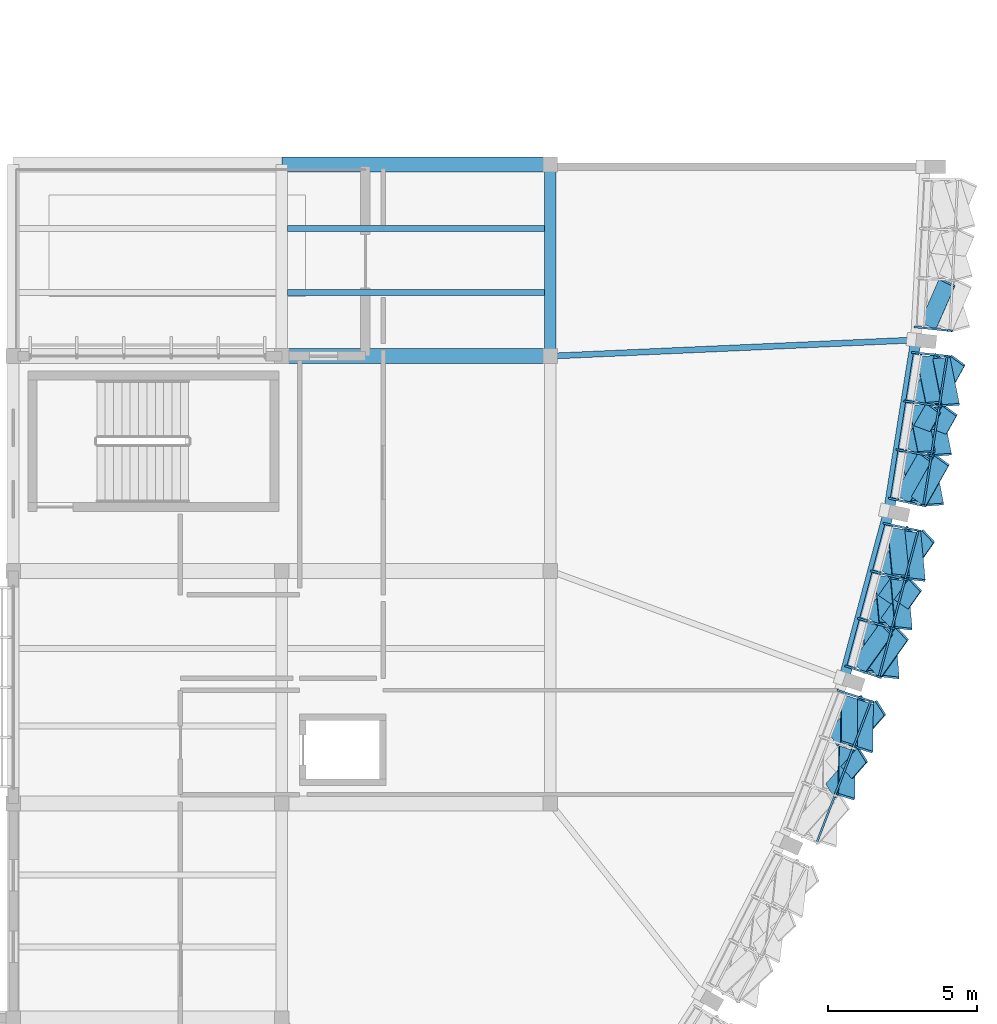
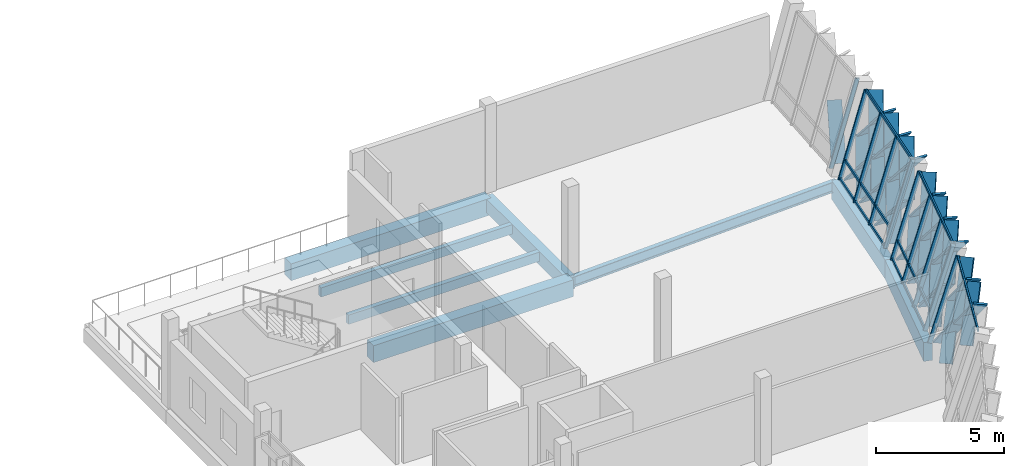
# One storey, part 13 of 24: 48 members, 8 beams, 4 elements without a shape of their own.
"""IFC4 building model written with IfcOpenShell, lengths in metres."""

from ifc_helpers import new_model, si_unit, direction, frame, origin, origin_2d, place, context, subcontext, project, spatial, rectangle, hollow_rectangle, i_section, extrude, material, material_profile, profile_set, type_object, element, aggregate, save


model = new_model("IFC4")

# Units and contexts
model_context = context("Model", 3, precision=1e-05, world=origin(), true_north=direction((0.0, 1.0)))
body_context = subcontext(model_context, "Body", "Model", "MODEL_VIEW")
ifc_project = project(units=[si_unit("LENGTHUNIT", "METRE"), si_unit("AREAUNIT", "SQUARE_METRE"), si_unit("VOLUMEUNIT", "CUBIC_METRE"), si_unit("PLANEANGLEUNIT", "RADIAN"), si_unit("MASSUNIT", "GRAM", prefix="KILO")], contexts=[model_context])

# Site, building, storey
site_placement = place(None, origin())
site = spatial("IfcSite", under=ifc_project, at=site_placement, CompositionType="ELEMENT")
building_placement = place(site_placement, origin())
building = spatial("IfcBuilding", under=site, at=building_placement, Name="Chiffa Square Polytechnic", CompositionType="ELEMENT")
storey_placement = place(building_placement, frame((0.0, 0.0, 22.199951171875)))
storey = spatial("IfcBuildingStorey", under=building, at=storey_placement, Name="L05", CompositionType="ELEMENT", Elevation=22.199951171875)

# Beams
ifc_material_1 = material(Name="Concrete C35/45", Category="concrete")
ifc_material_profile_1 = material_profile(ifc_material_1, rectangle(XDim=0.39990234375, YDim=0.64990234375, at=origin_2d()), Name="RC 400x650")
ifc_profile_set_1 = profile_set([ifc_material_profile_1], Name="Concrete C35/45")
beam_type_1 = type_object("IfcBeamType", Name="BM-RC-400X650", PredefinedType="BEAM", material=ifc_profile_set_1)
beam_1_placement = place(storey_placement, frame((166.199951171875, 51.0, -0.5849609375), z_axis=(0.0, 1.0, 0.0), x_axis=(-1.0, 0.0, 0.0)))
element("IfcBeam", 1, at=beam_1_placement, inside=storey, type_object=beam_type_1, Name="Primary floor girder BM-V1-L05-Y-1662-0510", PredefinedType="BEAM", context=body_context, shape_type="SweptSolid", body=[
    extrude(rectangle(XDim=0.39990234375, YDim=0.64990234375, at=origin_2d()), origin(), (0.0, 0.0, 1.0), 6.419921875),
])
ifc_material_2 = material(Name="Concrete C40/50", Category="concrete")
ifc_material_profile_2 = material_profile(ifc_material_2, rectangle(XDim=0.5, YDim=0.800048828125, at=origin_2d()), Name="RC 500x800")
ifc_profile_set_2 = profile_set([ifc_material_profile_2], Name="Concrete C40/50")
beam_type_2 = type_object("IfcBeamType", Name="BM-RC-500X800", PredefinedType="BEAM", material=ifc_profile_set_2)
for number, where, z_axis, x_axis, name in (
    (2, (157.199951171875, 51.0, -0.659912109375), (1.0, 0.0, 0.0), (0.0, 1.0, 0.0), "Primary floor girder BM-V1-L05-X-1572-0510"),
    (3, (157.199951171875, 57.419921875, -0.659912109375), (1.0, 0.0, 0.0), (0.0, 1.0, 0.0), "Primary floor girder BM-V1-L05-X-1572-0574"),
):
    element("IfcBeam", number, at=place(storey_placement, frame(where, z_axis=z_axis, x_axis=x_axis)), inside=storey, type_object=beam_type_2, Name=name, PredefinedType="BEAM", context=body_context, shape_type="SweptSolid", body=[
        extrude(rectangle(XDim=0.5, YDim=0.800048828125, at=origin_2d()), origin(), (0.0, 0.0, 1.0), 9.0),
    ])
ifc_material_3 = material(Name="Steel S355", Category="steel")
ifc_material_profile_3 = material_profile(ifc_material_3, i_section(OverallWidth=0.199951171875, OverallDepth=0.5, WebThickness=0.01025390625, FlangeThickness=0.01611328125, FilletRadius=0.02099609375, at=origin_2d()), Name="IPE 500")
ifc_profile_set_3 = profile_set([ifc_material_profile_3], Name="Steel S355")
beam_type_3 = type_object("IfcBeamType", Name="BM-STL-IPE500", PredefinedType="BEAM", material=ifc_profile_set_3)
beam_2_placement = place(storey_placement, frame((178.4609375, 51.5419921875, -0.510009765625), z_axis=(-0.999024405516, -0.04416148982, 0.0), x_axis=(0.04416148982, -0.999024405516, 0.0)))
element("IfcBeam", 4, at=beam_2_placement, inside=storey, type_object=beam_type_3, Name="Prow radial tie girder BM-V1-RAD-L05-17", PredefinedType="BEAM", context=body_context, shape_type="SweptSolid", body=[
    extrude(i_section(OverallWidth=0.199951171875, OverallDepth=0.5, WebThickness=0.01025390625, FlangeThickness=0.01611328125, FilletRadius=0.02099609375, at=origin_2d()), origin(), (0.0, 0.0, 1.0), 12.27294921875),
])

# Curtain wall, member
ifc_material_4 = material(Name="Aluminium EN AW-6060 T66 and glulam shading", Category="wood")
curtain_wall_type_1 = type_object("IfcCurtainWallType", Name="CW-PROW-LEAN-300", PredefinedType="USERDEFINED", material=ifc_material_4)
curtain_wall_1_placement = place(storey_placement, origin())
curtain_wall_1 = element("IfcCurtainWall", 5, at=curtain_wall_1_placement, inside=storey, type_object=curtain_wall_type_1, Name="Outward-leaning diamond-fin prow curtain wall CW-V1-L05-091", ObjectType="CURTAIN WALL", PredefinedType="USERDEFINED")
ifc_material_5 = material(Name="Aluminium EN AW-6060 T66", Category="aluminium")
ifc_material_profile_4 = material_profile(ifc_material_5, hollow_rectangle(XDim=0.06494140625, YDim=0.179931640625, WallThickness=0.00390625, at=origin_2d()), Name="ALU 65x180x4")
ifc_profile_set_4 = profile_set([ifc_material_profile_4], Name="Aluminium EN AW-6060 T66")
member_type_1 = type_object("IfcMemberType", Name="CWM-ALU-75X180", PredefinedType="MULLION", material=ifc_profile_set_4)
member_1_placement = place(storey_placement, frame((175.89208984375, 39.778076171875, 0.0), z_axis=(0.258885813868, -0.084170353529, 0.962233592723), x_axis=(0.309193931805, 0.950999007641, 0.0)))
member_1 = element("IfcMember", 6, at=member_1_placement, type_object=member_type_1, Name="Leaning prow mullion CW-V1-L05-091-M03", PredefinedType="MULLION", context=body_context, shape_type="SweptSolid", body=[
    extrude(hollow_rectangle(XDim=0.06494140625, YDim=0.179931640625, WallThickness=0.00390625, at=origin_2d()), origin(), (0.0, 0.0, 1.0), 4.13623046875),
])

# Curtain wall, members
curtain_wall_type_2 = type_object("IfcCurtainWallType", Name="CW-PROW-LEAN-150", PredefinedType="USERDEFINED", material=ifc_material_4)
curtain_wall_2_placement = place(storey_placement, origin())
curtain_wall_2 = element("IfcCurtainWall", 7, at=curtain_wall_2_placement, inside=storey, type_object=curtain_wall_type_2, Name="Outward-leaning diamond-fin prow curtain wall CW-V1-L05-092", ObjectType="CURTAIN WALL", PredefinedType="USERDEFINED")
member_2_placement = place(storey_placement, frame((176.156982421875, 40.593994140625, 0.0), z_axis=(0.258942168089, -0.084110460344, 0.96222366633), x_axis=(0.308934102949, 0.951083445359, 0.0)))
member_2 = element("IfcMember", 8, at=member_2_placement, type_object=member_type_1, Name="Leaning prow mullion CW-V1-L05-092-M00", PredefinedType="MULLION", context=body_context, shape_type="SweptSolid", body=[
    extrude(hollow_rectangle(XDim=0.06494140625, YDim=0.179931640625, WallThickness=0.00390625, at=origin_2d()), origin(), (0.0, 0.0, 1.0), 4.13623046875),
])
member_3_placement = place(storey_placement, frame((176.584716796875, 42.18994140625, 0.0), z_axis=(0.26144282542, -0.07496780047, 0.962303215171), x_axis=(0.275638295682, 0.961261426436, 0.0)))
member_3 = element("IfcMember", 9, at=member_3_placement, type_object=member_type_1, Name="Leaning prow mullion CW-V1-L05-092-M01", PredefinedType="MULLION", context=body_context, shape_type="SweptSolid", body=[
    extrude(hollow_rectangle(XDim=0.06494140625, YDim=0.179931640625, WallThickness=0.00390625, at=origin_2d()), origin(), (0.0, 0.0, 1.0), 4.135986328125),
])
member_4_placement = place(storey_placement, frame((177.01220703125, 43.785888671875, 0.0), z_axis=(0.263976120316, -0.065757915481, 0.962285043246), x_axis=(0.24171866323, 0.970346375191, 0.0)))
member_4 = element("IfcMember", 10, at=member_4_placement, type_object=member_type_1, Name="Leaning prow mullion CW-V1-L05-092-M02", PredefinedType="MULLION", context=body_context, shape_type="SweptSolid", body=[
    extrude(hollow_rectangle(XDim=0.06494140625, YDim=0.179931640625, WallThickness=0.00390625, at=origin_2d()), origin(), (0.0, 0.0, 1.0), 4.135986328125),
])
member_5_placement = place(storey_placement, frame((177.43994140625, 45.382080078125, 0.0), z_axis=(0.266429286285, -0.056602943187, 0.962191011303), x_axis=(0.207812105381, 0.978168762973, 0.0)))
member_5 = element("IfcMember", 11, at=member_5_placement, type_object=member_type_1, Name="Leaning prow mullion CW-V1-L05-092-M03", PredefinedType="MULLION", context=body_context, shape_type="SweptSolid", body=[
    extrude(hollow_rectangle(XDim=0.06494140625, YDim=0.179931640625, WallThickness=0.00390625, at=origin_2d()), origin(), (0.0, 0.0, 1.0), 4.136474609375),
])

curtain_wall_3_placement = place(storey_placement, origin())
curtain_wall_3 = element("IfcCurtainWall", 12, at=curtain_wall_3_placement, inside=storey, type_object=curtain_wall_type_1, Name="Outward-leaning diamond-fin prow curtain wall CW-V1-L05-093", ObjectType="CURTAIN WALL", PredefinedType="USERDEFINED")
member_6_placement = place(storey_placement, frame((177.617919921875, 46.221923828125, 0.0), z_axis=(0.266430175931, -0.056544109114, 0.962194224197), x_axis=(0.207604752945, 0.978212792062, 0.0)))
member_6 = element("IfcMember", 13, at=member_6_placement, type_object=member_type_1, Name="Leaning prow mullion CW-V1-L05-093-M00", PredefinedType="MULLION", context=body_context, shape_type="SweptSolid", body=[
    extrude(hollow_rectangle(XDim=0.06494140625, YDim=0.179931640625, WallThickness=0.00390625, at=origin_2d()), origin(), (0.0, 0.0, 1.0), 4.136474609375),
])
member_7_placement = place(storey_placement, frame((177.876708984375, 47.853759765625, 0.0), z_axis=(0.267874220956, -0.047282338252, 0.962292981496), x_axis=(0.173822472539, 0.98477700422, 0.0)))
member_7 = element("IfcMember", 14, at=member_7_placement, type_object=member_type_1, Name="Leaning prow mullion CW-V1-L05-093-M01", PredefinedType="MULLION", context=body_context, shape_type="SweptSolid", body=[
    extrude(hollow_rectangle(XDim=0.06494140625, YDim=0.179931640625, WallThickness=0.00390625, at=origin_2d()), origin(), (0.0, 0.0, 1.0), 4.135986328125),
])
member_8_placement = place(storey_placement, frame((178.13525390625, 49.4853515625, 0.0), z_axis=(0.269350846609, -0.037896831804, 0.962296187029), x_axis=(0.139324658755, 0.990246756855, 0.0)))
member_8 = element("IfcMember", 15, at=member_8_placement, type_object=member_type_1, Name="Leaning prow mullion CW-V1-L05-093-M02", PredefinedType="MULLION", context=body_context, shape_type="SweptSolid", body=[
    extrude(hollow_rectangle(XDim=0.06494140625, YDim=0.179931640625, WallThickness=0.00390625, at=origin_2d()), origin(), (0.0, 0.0, 1.0), 4.135986328125),
])
member_9_placement = place(storey_placement, frame((178.39404296875, 51.116943359375, 0.0), z_axis=(0.270748341049, -0.028509145133, 0.962227917109), x_axis=(0.104718642267, 0.994501888365, 0.0)))
member_9 = element("IfcMember", 16, at=member_9_placement, type_object=member_type_1, Name="Leaning prow mullion CW-V1-L05-093-M03", PredefinedType="MULLION", context=body_context, shape_type="SweptSolid", body=[
    extrude(hollow_rectangle(XDim=0.06494140625, YDim=0.179931640625, WallThickness=0.00390625, at=origin_2d()), origin(), (0.0, 0.0, 1.0), 4.13623046875),
])

# Curtain wall, member
curtain_wall_4_placement = place(storey_placement, origin())
curtain_wall_4 = element("IfcCurtainWall", 17, at=curtain_wall_4_placement, inside=storey, type_object=curtain_wall_type_2, Name="Outward-leaning diamond-fin prow curtain wall CW-V1-L05-094", ObjectType="CURTAIN WALL", PredefinedType="USERDEFINED")
member_10_placement = place(storey_placement, frame((178.48291015625, 51.970947265625, 0.0), z_axis=(0.271021799895, -0.028506866147, 0.962150997798), x_axis=(0.104605867711, 0.994513756788, 0.0)))
member_10 = element("IfcMember", 18, at=member_10_placement, type_object=member_type_1, Name="Leaning prow mullion CW-V1-L05-094-M00", PredefinedType="MULLION", context=body_context, shape_type="SweptSolid", body=[
    extrude(hollow_rectangle(XDim=0.06494140625, YDim=0.179931640625, WallThickness=0.00390625, at=origin_2d()), origin(), (0.0, 0.0, 1.0), 4.136474609375),
])

# Member
ifc_material_6 = material(Name="Glulam GL28h", Category="wood")
ifc_material_profile_5 = material_profile(ifc_material_6, rectangle(XDim=0.080078125, YDim=0.580078125, at=origin_2d()), Name="GL28h 80x580")
ifc_profile_set_5 = profile_set([ifc_material_profile_5], Name="Glulam GL28h")
member_type_2 = type_object("IfcMemberType", Name="CWM-GL-80X580", PredefinedType="MULLION", material=ifc_profile_set_5)
member_11_placement = place(storey_placement, frame((175.612060546875, 36.43408203125, 1.989990234375), z_axis=(0.417267315743, 0.476004596426, 0.774149605305), x_axis=(-0.745900134523, -0.30724673703, 0.590958908811)))
member_11 = element("IfcMember", 19, at=member_11_placement, type_object=member_type_2, Name="Diamond glulam fin CW-V1-L05-091-DF04A", PredefinedType="MULLION", context=body_context, shape_type="SweptSolid", body=[
    extrude(rectangle(XDim=0.080078125, YDim=0.580078125, at=origin_2d()), origin(), (0.0, 0.0, 1.0), 2.518798828125),
])

member_12_placement = place(storey_placement, frame((176.14599609375, 37.822998046875, 1.989990234375), z_axis=(-0.009109438357, -0.63310596583, 0.774011533611), x_axis=(0.368726934339, 0.717371389926, 0.591116517117)))
member_12 = element("IfcMember", 20, at=member_12_placement, type_object=member_type_2, Name="Diamond glulam fin CW-V1-L05-091-DF04B", PredefinedType="MULLION", context=body_context, shape_type="SweptSolid", body=[
    extrude(rectangle(XDim=0.080078125, YDim=0.580078125, at=origin_2d()), origin(), (0.0, 0.0, 1.0), 2.519287109375),
])

member_13_placement = place(storey_placement, frame((175.693115234375, 38.181884765625, 0.0400390625), z_axis=(0.417336951264, 0.476901171507, 0.773560044034), x_axis=(-0.745276247493, -0.307466420327, 0.591631401545)))
member_13 = element("IfcMember", 21, at=member_13_placement, type_object=member_type_2, Name="Diamond glulam fin CW-V1-L05-091-DF05A", PredefinedType="MULLION", context=body_context, shape_type="SweptSolid", body=[
    extrude(rectangle(XDim=0.080078125, YDim=0.580078125, at=origin_2d()), origin(), (0.0, 0.0, 1.0), 2.520751953125),
])

member_14_placement = place(storey_placement, frame((176.219970703125, 39.554931640625, 0.0400390625), z_axis=(-0.003617505403, -0.624655189734, 0.780892314979), x_axis=(0.362583806168, 0.726938208757, 0.583175637483)))
member_14 = element("IfcMember", 22, at=member_14_placement, type_object=member_type_2, Name="Diamond glulam fin CW-V1-L05-091-DF05B", PredefinedType="MULLION", context=body_context, shape_type="SweptSolid", body=[
    extrude(rectangle(XDim=0.080078125, YDim=0.580078125, at=origin_2d()), origin(), (0.0, 0.0, 1.0), 2.4970703125),
])

member_15_placement = place(storey_placement, frame((176.2109375, 37.9951171875, 1.989990234375), z_axis=(0.418171525797, 0.480887606039, 0.770635896757), x_axis=(-0.742517654132, -0.307740590138, 0.594948117473)))
member_15 = element("IfcMember", 23, at=member_15_placement, type_object=member_type_2, Name="Diamond glulam fin CW-V1-L05-091-DF06A", PredefinedType="MULLION", context=body_context, shape_type="SweptSolid", body=[
    extrude(rectangle(XDim=0.080078125, YDim=0.580078125, at=origin_2d()), origin(), (0.0, 0.0, 1.0), 2.5302734375),
])

member_16_placement = place(storey_placement, frame((176.7451171875, 39.384033203125, 1.989990234375), z_axis=(-0.006035435766, -0.628853468526, 0.777500410699), x_axis=(0.365317574975, 0.722386450678, 0.587112327661)))
member_16 = element("IfcMember", 24, at=member_16_placement, type_object=member_type_2, Name="Diamond glulam fin CW-V1-L05-091-DF06B", PredefinedType="MULLION", context=body_context, shape_type="SweptSolid", body=[
    extrude(rectangle(XDim=0.080078125, YDim=0.580078125, at=origin_2d()), origin(), (0.0, 0.0, 1.0), 2.508056640625),
])

member_17_placement = place(storey_placement, frame((176.553955078125, 40.5810546875, 0.0400390625), z_axis=(0.36439245713, 0.507686272086, 0.78068738066), x_axis=(-0.64997282263, -0.461701720862, 0.603628073234)))
member_17 = element("IfcMember", 25, at=member_17_placement, type_object=member_type_2, Name="Diamond glulam fin CW-V1-L05-092-DF01A", PredefinedType="MULLION", context=body_context, shape_type="SweptSolid", body=[
    extrude(rectangle(XDim=0.080078125, YDim=0.580078125, at=origin_2d()), origin(), (0.0, 0.0, 1.0), 2.497802734375),
])

member_18_placement = place(storey_placement, frame((176.93408203125, 42.001953125, 0.0400390625), z_axis=(0.057544971105, -0.630863386924, 0.773757044129), x_axis=(0.189856577835, 0.76781276909, 0.611897075883)))
member_18 = element("IfcMember", 26, at=member_18_placement, type_object=member_type_2, Name="Diamond glulam fin CW-V1-L05-092-DF01B", PredefinedType="MULLION", context=body_context, shape_type="SweptSolid", body=[
    extrude(rectangle(XDim=0.080078125, YDim=0.580078125, at=origin_2d()), origin(), (0.0, 0.0, 1.0), 2.52001953125),
])

member_19_placement = place(storey_placement, frame((177.0791015625, 40.412109375, 1.989990234375), z_axis=(0.364483092313, 0.512107021767, 0.777752192974), x_axis=(-0.646484326856, -0.46197756713, 0.607152981215)))
member_19 = element("IfcMember", 27, at=member_19_placement, type_object=member_type_2, Name="Diamond glulam fin CW-V1-L05-092-DF02A", PredefinedType="MULLION", context=body_context, shape_type="SweptSolid", body=[
    extrude(rectangle(XDim=0.080078125, YDim=0.580078125, at=origin_2d()), origin(), (0.0, 0.0, 1.0), 2.507080078125),
])

member_20_placement = place(storey_placement, frame((177.464111328125, 41.84912109375, 1.989990234375), z_axis=(0.055276241408, -0.635049733315, 0.770490994985), x_axis=(0.19330796564, 0.763877127178, 0.615730269676)))
member_20 = element("IfcMember", 28, at=member_20_placement, type_object=member_type_2, Name="Diamond glulam fin CW-V1-L05-092-DF02B", PredefinedType="MULLION", context=body_context, shape_type="SweptSolid", body=[
    extrude(rectangle(XDim=0.080078125, YDim=0.580078125, at=origin_2d()), origin(), (0.0, 0.0, 1.0), 2.53076171875),
])

member_21_placement = place(storey_placement, frame((176.98095703125, 42.177978515625, 0.0400390625), z_axis=(0.365078847138, 0.512589383456, 0.777154784673), x_axis=(-0.646300511423, -0.461296236126, 0.607866294074)))
member_21 = element("IfcMember", 29, at=member_21_placement, type_object=member_type_2, Name="Diamond glulam fin CW-V1-L05-092-DF03A", PredefinedType="MULLION", context=body_context, shape_type="SweptSolid", body=[
    extrude(rectangle(XDim=0.080078125, YDim=0.580078125, at=origin_2d()), origin(), (0.0, 0.0, 1.0), 2.509033203125),
])

member_22_placement = place(storey_placement, frame((177.362060546875, 43.597900390625, 0.0400390625), z_axis=(0.059371614451, -0.626224536685, 0.777378827246), x_axis=(0.186790392434, 0.771966883411, 0.607598946849)))
member_22 = element("IfcMember", 30, at=member_22_placement, type_object=member_type_2, Name="Diamond glulam fin CW-V1-L05-092-DF03B", PredefinedType="MULLION", context=body_context, shape_type="SweptSolid", body=[
    extrude(rectangle(XDim=0.080078125, YDim=0.580078125, at=origin_2d()), origin(), (0.0, 0.0, 1.0), 2.50830078125),
])

member_23_placement = place(storey_placement, frame((177.510986328125, 42.027099609375, 1.989990234375), z_axis=(0.36516572097, 0.517221192361, 0.774038910134), x_axis=(-0.6426529487, -0.461504282207, 0.611564375215)))
member_23 = element("IfcMember", 31, at=member_23_placement, type_object=member_type_2, Name="Diamond glulam fin CW-V1-L05-092-DF04A", PredefinedType="MULLION", context=body_context, shape_type="SweptSolid", body=[
    extrude(rectangle(XDim=0.080078125, YDim=0.580078125, at=origin_2d()), origin(), (0.0, 0.0, 1.0), 2.519287109375),
])

member_24_placement = place(storey_placement, frame((177.89697265625, 43.464111328125, 1.989990234375), z_axis=(0.057183190094, -0.630468900948, 0.774105320811), x_axis=(0.190219680297, 0.768050398292, 0.611485943347)))
member_24 = element("IfcMember", 32, at=member_24_placement, type_object=member_type_2, Name="Diamond glulam fin CW-V1-L05-092-DF04B", PredefinedType="MULLION", context=body_context, shape_type="SweptSolid", body=[
    extrude(rectangle(XDim=0.080078125, YDim=0.580078125, at=origin_2d()), origin(), (0.0, 0.0, 1.0), 2.51904296875),
])

member_25_placement = place(storey_placement, frame((177.408935546875, 43.77392578125, 0.0400390625), z_axis=(0.365084916647, 0.517841327778, 0.773662305455), x_axis=(-0.642134595817, -0.461636598735, 0.612008832913)))
member_25 = element("IfcMember", 33, at=member_25_placement, type_object=member_type_2, Name="Diamond glulam fin CW-V1-L05-092-DF05A", PredefinedType="MULLION", context=body_context, shape_type="SweptSolid", body=[
    extrude(rectangle(XDim=0.080078125, YDim=0.580078125, at=origin_2d()), origin(), (0.0, 0.0, 1.0), 2.5205078125),
])

member_26_placement = place(storey_placement, frame((177.7900390625, 45.195068359375, 0.0400390625), z_axis=(0.061681402802, -0.621799371198, 0.780743841811), x_axis=(0.183110894706, 0.776006317006, 0.603559935886)))
member_26 = element("IfcMember", 34, at=member_26_placement, type_object=member_type_2, Name="Diamond glulam fin CW-V1-L05-092-DF05B", PredefinedType="MULLION", context=body_context, shape_type="SweptSolid", body=[
    extrude(rectangle(XDim=0.080078125, YDim=0.580078125, at=origin_2d()), origin(), (0.0, 0.0, 1.0), 2.49755859375),
])

member_27_placement = place(storey_placement, frame((177.944091796875, 43.64208984375, 1.989990234375), z_axis=(0.365501533223, 0.52200720558, 0.77066017578), x_axis=(-0.638975748812, -0.461334471729, 0.615532694197)))
member_27 = element("IfcMember", 35, at=member_27_placement, type_object=member_type_2, Name="Diamond glulam fin CW-V1-L05-092-DF06A", PredefinedType="MULLION", context=body_context, shape_type="SweptSolid", body=[
    extrude(rectangle(XDim=0.080078125, YDim=0.580078125, at=origin_2d()), origin(), (0.0, 0.0, 1.0), 2.5302734375),
])

member_28_placement = place(storey_placement, frame((178.3291015625, 45.0791015625, 1.989990234375), z_axis=(0.059785048664, -0.625795615254, 0.777692481567), x_axis=(0.186206392999, 0.772402602566, 0.607224339726)))
member_28 = element("IfcMember", 36, at=member_28_placement, type_object=member_type_2, Name="Diamond glulam fin CW-V1-L05-092-DF06B", PredefinedType="MULLION", context=body_context, shape_type="SweptSolid", body=[
    extrude(rectangle(XDim=0.080078125, YDim=0.580078125, at=origin_2d()), origin(), (0.0, 0.0, 1.0), 2.50732421875),
])

member_29_placement = place(storey_placement, frame((178.013916015625, 46.2509765625, 0.0400390625), z_axis=(0.309621596198, 0.542595471708, 0.78084865451), x_axis=(-0.518106598431, -0.592318235607, 0.617028897565)))
member_29 = element("IfcMember", 37, at=member_29_placement, type_object=member_type_2, Name="Diamond glulam fin CW-V1-L05-093-DF01A", PredefinedType="MULLION", context=body_context, shape_type="SweptSolid", body=[
    extrude(rectangle(XDim=0.080078125, YDim=0.580078125, at=origin_2d()), origin(), (0.0, 0.0, 1.0), 2.497314453125),
])

member_30_placement = place(storey_placement, frame((178.243896484375, 47.702880859375, 0.0400390625), z_axis=(0.123037719945, -0.621388925767, 0.773781314329), x_axis=(0.005011388693, 0.780084610895, 0.625653966525)))
member_30 = element("IfcMember", 38, at=member_30_placement, type_object=member_type_2, Name="Diamond glulam fin CW-V1-L05-093-DF01B", PredefinedType="MULLION", context=body_context, shape_type="SweptSolid", body=[
    extrude(rectangle(XDim=0.080078125, YDim=0.580078125, at=origin_2d()), origin(), (0.0, 0.0, 1.0), 2.52001953125),
])

member_31_placement = place(storey_placement, frame((178.553955078125, 46.136962890625, 1.989990234375), z_axis=(0.309109984548, 0.54753844192, 0.777594156404), x_axis=(-0.513794449437, -0.591897603942, 0.621025353891)))
member_31 = element("IfcMember", 39, at=member_31_placement, type_object=member_type_2, Name="Diamond glulam fin CW-V1-L05-093-DF02A", PredefinedType="MULLION", context=body_context, shape_type="SweptSolid", body=[
    extrude(rectangle(XDim=0.080078125, YDim=0.580078125, at=origin_2d()), origin(), (0.0, 0.0, 1.0), 2.507568359375),
])

member_32_placement = place(storey_placement, frame((178.787109375, 47.60595703125, 1.989990234375), z_axis=(0.121284101345, -0.625621410597, 0.770641302659), x_axis=(0.008713650931, 0.777013743285, 0.629423319424)))
member_32 = element("IfcMember", 40, at=member_32_placement, type_object=member_type_2, Name="Diamond glulam fin CW-V1-L05-093-DF02B", PredefinedType="MULLION", context=body_context, shape_type="SweptSolid", body=[
    extrude(rectangle(XDim=0.080078125, YDim=0.580078125, at=origin_2d()), origin(), (0.0, 0.0, 1.0), 2.5302734375),
])

member_33_placement = place(storey_placement, frame((178.27197265625, 47.883056640625, 0.0400390625), z_axis=(0.309396168796, 0.547745089017, 0.777334759413), x_axis=(-0.513807325657, -0.591553943924, 0.621342066441)))
member_33 = element("IfcMember", 41, at=member_33_placement, type_object=member_type_2, Name="Diamond glulam fin CW-V1-L05-093-DF03A", PredefinedType="MULLION", context=body_context, shape_type="SweptSolid", body=[
    extrude(rectangle(XDim=0.080078125, YDim=0.580078125, at=origin_2d()), origin(), (0.0, 0.0, 1.0), 2.508544921875),
])

member_34_placement = place(storey_placement, frame((178.5029296875, 49.3349609375, 0.0400390625), z_axis=(0.124382670011, -0.61665774428, 0.777343024552), x_axis=(0.00154021404, 0.783545914026, 0.621331979182)))
member_34 = element("IfcMember", 42, at=member_34_placement, type_object=member_type_2, Name="Diamond glulam fin CW-V1-L05-093-DF03B", PredefinedType="MULLION", context=body_context, shape_type="SweptSolid", body=[
    extrude(rectangle(XDim=0.080078125, YDim=0.580078125, at=origin_2d()), origin(), (0.0, 0.0, 1.0), 2.508544921875),
])

member_35_placement = place(storey_placement, frame((178.81494140625, 47.7880859375, 1.989990234375), z_axis=(0.309243682611, 0.552490828758, 0.774029863057), x_axis=(-0.509904367118, -0.59070292248, 0.625353974775)))
member_35 = element("IfcMember", 43, at=member_35_placement, type_object=member_type_2, Name="Diamond glulam fin CW-V1-L05-093-DF04A", PredefinedType="MULLION", context=body_context, shape_type="SweptSolid", body=[
    extrude(rectangle(XDim=0.080078125, YDim=0.580078125, at=origin_2d()), origin(), (0.0, 0.0, 1.0), 2.519287109375),
])

member_36_placement = place(storey_placement, frame((179.048095703125, 49.257080078125, 1.989990234375), z_axis=(0.123001521212, -0.620920208734, 0.774163238707), x_axis=(0.004869651051, 0.780455079291, 0.625192894799)))
member_36 = element("IfcMember", 44, at=member_36_placement, type_object=member_type_2, Name="Diamond glulam fin CW-V1-L05-093-DF04B", PredefinedType="MULLION", context=body_context, shape_type="SweptSolid", body=[
    extrude(rectangle(XDim=0.080078125, YDim=0.580078125, at=origin_2d()), origin(), (0.0, 0.0, 1.0), 2.518798828125),
])

member_37_placement = place(storey_placement, frame((178.531005859375, 49.514892578125, 0.0400390625), z_axis=(0.309160891079, 0.552827340802, 0.773822637747), x_axis=(-0.509583776928, -0.590714716021, 0.625604106898)))
member_37 = element("IfcMember", 45, at=member_37_placement, type_object=member_type_2, Name="Diamond glulam fin CW-V1-L05-093-DF05A", PredefinedType="MULLION", context=body_context, shape_type="SweptSolid", body=[
    extrude(rectangle(XDim=0.080078125, YDim=0.580078125, at=origin_2d()), origin(), (0.0, 0.0, 1.0), 2.519775390625),
])

member_38_placement = place(storey_placement, frame((178.760986328125, 50.967041015625, 0.0400390625), z_axis=(0.126497491139, -0.611860739598, 0.780784746312), x_axis=(-0.002937282685, 0.78687314929, 0.617107785802)))
member_38 = element("IfcMember", 46, at=member_38_placement, type_object=member_type_2, Name="Diamond glulam fin CW-V1-L05-093-DF05B", PredefinedType="MULLION", context=body_context, shape_type="SweptSolid", body=[
    extrude(rectangle(XDim=0.080078125, YDim=0.580078125, at=origin_2d()), origin(), (0.0, 0.0, 1.0), 2.497314453125),
])

member_39_placement = place(storey_placement, frame((179.076904296875, 49.43896484375, 1.989990234375), z_axis=(0.308982561461, 0.557577023179, 0.770478838085), x_axis=(-0.505686630428, -0.589799174733, 0.629617316542)))
member_39 = element("IfcMember", 47, at=member_39_placement, type_object=member_type_2, Name="Diamond glulam fin CW-V1-L05-093-DF06A", PredefinedType="MULLION", context=body_context, shape_type="SweptSolid", body=[
    extrude(rectangle(XDim=0.080078125, YDim=0.580078125, at=origin_2d()), origin(), (0.0, 0.0, 1.0), 2.53076171875),
])

member_40_placement = place(storey_placement, frame((179.31005859375, 50.907958984375, 1.989990234375), z_axis=(0.124825827287, -0.616144957155, 0.777678535524), x_axis=(0.000806612486, 0.783871724361, 0.620922273013)))
member_40 = element("IfcMember", 48, at=member_40_placement, type_object=member_type_2, Name="Diamond glulam fin CW-V1-L05-093-DF06B", PredefinedType="MULLION", context=body_context, shape_type="SweptSolid", body=[
    extrude(rectangle(XDim=0.080078125, YDim=0.580078125, at=origin_2d()), origin(), (0.0, 0.0, 1.0), 2.50732421875),
])

member_41_placement = place(storey_placement, frame((178.873046875, 52.041015625, 0.0400390625), z_axis=(0.251402912224, 0.572107793643, 0.78069792377), x_axis=(-0.361560972439, -0.692699459193, 0.624052179263)))
member_41 = element("IfcMember", 49, at=member_41_placement, type_object=member_type_2, Name="Diamond glulam fin CW-V1-L05-094-DF01A", PredefinedType="MULLION", context=body_context, shape_type="SweptSolid", body=[
    extrude(rectangle(XDim=0.080078125, YDim=0.580078125, at=origin_2d()), origin(), (0.0, 0.0, 1.0), 2.497802734375),
])

aggregate(curtain_wall_4, [member_10, member_41])

ifc_material_profile_6 = material_profile(ifc_material_5, hollow_rectangle(XDim=0.06494140625, YDim=0.139892578125, WallThickness=0.00390625, at=origin_2d()), Name="ALU 65x140x4")
ifc_profile_set_6 = profile_set([ifc_material_profile_6], Name="Aluminium EN AW-6060 T66")
member_type_3 = type_object("IfcMemberType", Name="CWT-ALU-75X140", PredefinedType="USERDEFINED", material=ifc_profile_set_6)
member_42_placement = place(storey_placement, frame((175.1337890625, 34.696533203125, 3.93994140625), z_axis=(0.358363174211, 0.933582259562, 0.0), x_axis=(-0.933582259562, 0.358363174211, 0.0)))
member_42 = element("IfcMember", 50, at=member_42_placement, type_object=member_type_3, Name="Leaning prow transom CW-V1-L05-091-T03", ObjectType="TRANSOM", PredefinedType="USERDEFINED", context=body_context, shape_type="SweptSolid", body=[
    extrude(hollow_rectangle(XDim=0.06494140625, YDim=0.139892578125, WallThickness=0.00390625, at=origin_2d()), origin(), (0.0, 0.0, 1.0), 5.073974609375),
])

aggregate(curtain_wall_1, [member_1, member_42, member_11, member_12, member_13, member_14, member_15, member_16])

member_43_placement = place(storey_placement, frame((176.167724609375, 40.590576171875, 0.0400390625), z_axis=(0.25886079023, 0.965914639749, 0.0), x_axis=(-0.965914639749, 0.25886079023, 0.0)))
member_43 = element("IfcMember", 51, at=member_43_placement, type_object=member_type_3, Name="Leaning prow transom CW-V1-L05-092-T01", ObjectType="TRANSOM", PredefinedType="USERDEFINED", context=body_context, shape_type="SweptSolid", body=[
    extrude(hollow_rectangle(XDim=0.06494140625, YDim=0.139892578125, WallThickness=0.00390625, at=origin_2d()), origin(), (0.0, 0.0, 1.0), 4.9580078125),
])

member_44_placement = place(storey_placement, frame((176.3857421875, 40.519775390625, 0.85009765625), z_axis=(0.258839778266, 0.965920270616, 0.0), x_axis=(-0.965920270616, 0.258839778266, 0.0)))
member_44 = element("IfcMember", 52, at=member_44_placement, type_object=member_type_3, Name="Leaning prow transom CW-V1-L05-092-T02", ObjectType="TRANSOM", PredefinedType="USERDEFINED", context=body_context, shape_type="SweptSolid", body=[
    extrude(hollow_rectangle(XDim=0.06494140625, YDim=0.139892578125, WallThickness=0.00390625, at=origin_2d()), origin(), (0.0, 0.0, 1.0), 4.98193359375),
])

member_45_placement = place(storey_placement, frame((177.21728515625, 40.24951171875, 3.93994140625), z_axis=(0.258917267231, 0.965899502396, 0.0), x_axis=(-0.965899502396, 0.258917267231, 0.0)))
member_45 = element("IfcMember", 53, at=member_45_placement, type_object=member_type_3, Name="Leaning prow transom CW-V1-L05-092-T03", ObjectType="TRANSOM", PredefinedType="USERDEFINED", context=body_context, shape_type="SweptSolid", body=[
    extrude(hollow_rectangle(XDim=0.06494140625, YDim=0.139892578125, WallThickness=0.00390625, at=origin_2d()), origin(), (0.0, 0.0, 1.0), 5.073974609375),
])

aggregate(curtain_wall_2, [member_2, member_3, member_4, member_5, member_43, member_44, member_45, member_17, member_18, member_19, member_20, member_21, member_22, member_23, member_24, member_25, member_26, member_27, member_28])

member_46_placement = place(storey_placement, frame((177.629150390625, 46.219482421875, 0.0400390625), z_axis=(0.156559377466, 0.987668548313, 0.0), x_axis=(-0.987668548313, 0.156559377466, 0.0)))
member_46 = element("IfcMember", 54, at=member_46_placement, type_object=member_type_3, Name="Leaning prow transom CW-V1-L05-093-T01", ObjectType="TRANSOM", PredefinedType="USERDEFINED", context=body_context, shape_type="SweptSolid", body=[
    extrude(hollow_rectangle(XDim=0.06494140625, YDim=0.139892578125, WallThickness=0.00390625, at=origin_2d()), origin(), (0.0, 0.0, 1.0), 4.957275390625),
])

member_47_placement = place(storey_placement, frame((177.853515625, 46.172119140625, 0.85009765625), z_axis=(0.156548985389, 0.987670195548, 0.0), x_axis=(-0.987670195548, 0.156548985389, 0.0)))
member_47 = element("IfcMember", 55, at=member_47_placement, type_object=member_type_3, Name="Leaning prow transom CW-V1-L05-093-T02", ObjectType="TRANSOM", PredefinedType="USERDEFINED", context=body_context, shape_type="SweptSolid", body=[
    extrude(hollow_rectangle(XDim=0.06494140625, YDim=0.139892578125, WallThickness=0.00390625, at=origin_2d()), origin(), (0.0, 0.0, 1.0), 4.981201171875),
])

member_48_placement = place(storey_placement, frame((178.708984375, 45.990478515625, 3.93994140625), z_axis=(0.156479132186, 0.987681264979, 0.0), x_axis=(-0.987681264979, 0.156479132186, 0.0)))
member_48 = element("IfcMember", 56, at=member_48_placement, type_object=member_type_3, Name="Leaning prow transom CW-V1-L05-093-T03", ObjectType="TRANSOM", PredefinedType="USERDEFINED", context=body_context, shape_type="SweptSolid", body=[
    extrude(hollow_rectangle(XDim=0.06494140625, YDim=0.139892578125, WallThickness=0.00390625, at=origin_2d()), origin(), (0.0, 0.0, 1.0), 5.072265625),
])

aggregate(curtain_wall_3, [member_6, member_7, member_8, member_9, member_46, member_47, member_48, member_29, member_30, member_31, member_32, member_33, member_34, member_35, member_36, member_37, member_38, member_39, member_40])

# Beams
ifc_material_profile_7 = material_profile(ifc_material_6, rectangle(XDim=0.199951171875, YDim=0.43994140625, at=origin_2d()), Name="GL28h 200x440")
ifc_profile_set_7 = profile_set([ifc_material_profile_7], Name="Glulam GL28h")
beam_type_4 = type_object("IfcBeamType", Name="JST-GL-200X440", PredefinedType="JOIST", material=ifc_profile_set_7)
for number, where, z_axis, x_axis, name in (
    (57, (157.39794921875, 53.139892578125, -0.47998046875), (1.0, 0.0, 0.0), (0.0, 1.0, 0.0), "Secondary floor joist JST-V1-L05-1572-0531"),
    (58, (157.39794921875, 55.280029296875, -0.47998046875), (1.0, 0.0, 0.0), (0.0, 1.0, 0.0), "Secondary floor joist JST-V1-L05-1572-0553"),
):
    element("IfcBeam", number, at=place(storey_placement, frame(where, z_axis=z_axis, x_axis=x_axis)), inside=storey, type_object=beam_type_4, Name=name, PredefinedType="JOIST", context=body_context, shape_type="SweptSolid", body=[
        extrude(rectangle(XDim=0.199951171875, YDim=0.43994140625, at=origin_2d()), origin(), (0.0, 0.0, 1.0), 8.60400390625),
    ])
ifc_material_7 = material(Name="Glulam GL32c", Category="wood")
ifc_material_profile_8 = material_profile(ifc_material_7, rectangle(XDim=0.360107421875, YDim=0.89990234375, at=origin_2d()), Name="GL32c 360x900")
ifc_profile_set_8 = profile_set([ifc_material_profile_8], Name="Glulam GL32c")
beam_type_5 = type_object("IfcBeamType", Name="RB-GL-360X900", PredefinedType="SPANDREL", material=ifc_profile_set_8)
for number, where, z_axis, x_axis, name in (
    (59, (176.0458984375, 40.178955078125, -0.7099609375), (0.258778047843, 0.965936810539, 0.0), (-0.965936810539, 0.258778047843, 0.0), "Prow perimeter edge beam RB-V1-PROW-L05-15"),
    (60, (177.551025390625, 45.797119140625, -0.7099609375), (0.156436747195, 0.987687979135, 0.0), (-0.987687979135, 0.156436747195, 0.0), "Prow perimeter edge beam RB-V1-PROW-L05-16"),
):
    element("IfcBeam", number, at=place(storey_placement, frame(where, z_axis=z_axis, x_axis=x_axis)), inside=storey, type_object=beam_type_5, Name=name, PredefinedType="SPANDREL", context=body_context, shape_type="SweptSolid", body=[
        extrude(rectangle(XDim=0.360107421875, YDim=0.89990234375, at=origin_2d()), origin(), (0.0, 0.0, 1.0), 5.81640625),
    ])

save(model, "model.ifc")
